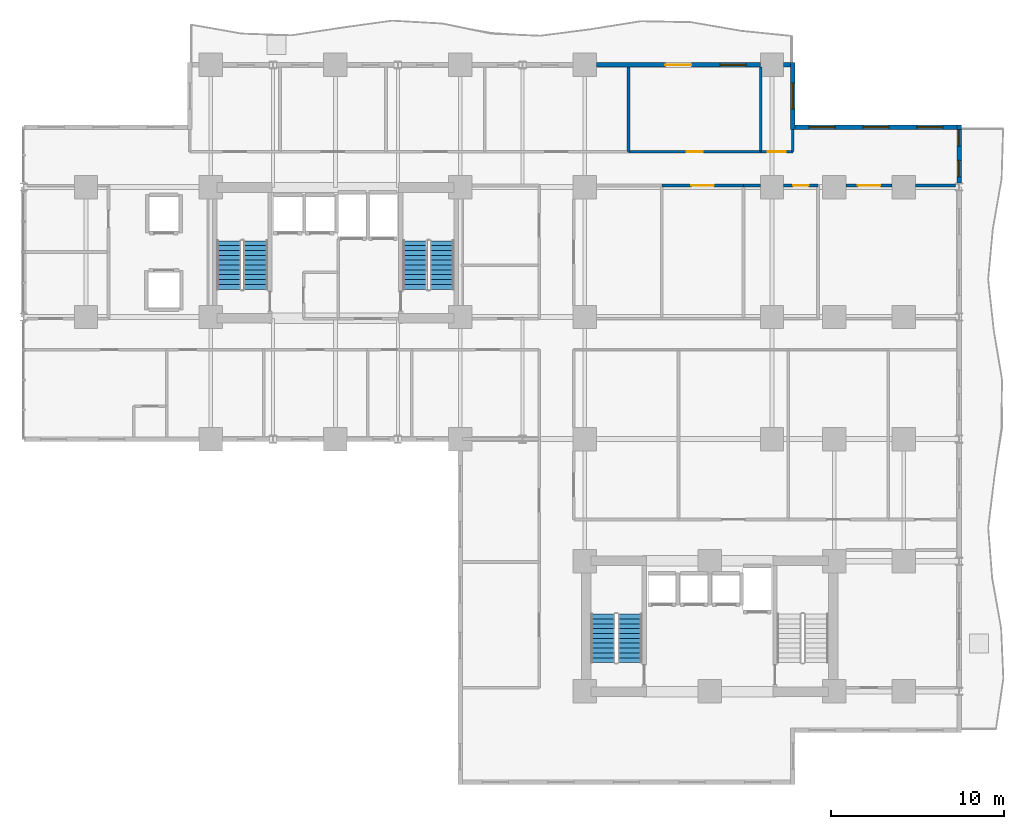
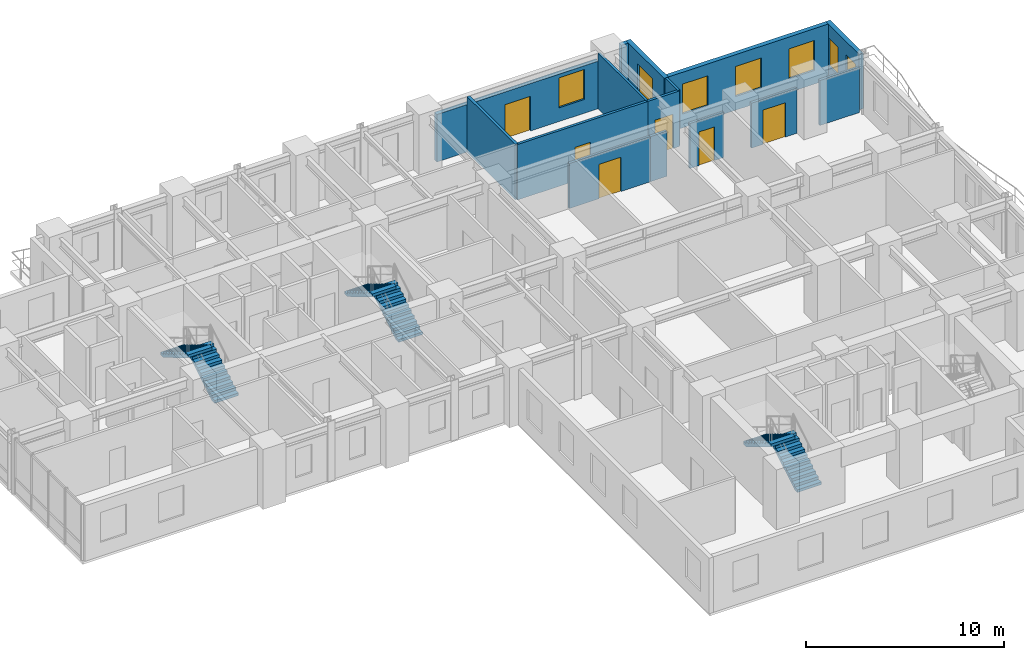
# One storey, part 13 of 17: 15 walls, 7 windows, 6 doors, 6 stair flights, 13 openings, 3 elements without a shape of their own.
"""IFC4 building model written with IfcOpenShell, lengths in metres."""

from ifc_helpers import new_model, si_unit, direction, frame, frame_2d, origin, place, context, subcontext, project, spatial, polyline, rectangle, outline, extrude, material, layer, layer_set, type_object, element, fill, aggregate, save


model = new_model("IFC4")

# Units and contexts
model_context = context("Model", 3, precision=1e-05, world=origin(), true_north=direction((0.0, 1.0)))
body_context = subcontext(model_context, "Body", "Model", "MODEL_VIEW")
ifc_project = project(units=[si_unit("LENGTHUNIT", "METRE"), si_unit("AREAUNIT", "SQUARE_METRE"), si_unit("VOLUMEUNIT", "CUBIC_METRE"), si_unit("PLANEANGLEUNIT", "RADIAN"), si_unit("MASSUNIT", "GRAM", prefix="KILO")], contexts=[model_context])

# Site, building, storey
site_placement = place(None, origin())
site = spatial("IfcSite", under=ifc_project, at=site_placement, CompositionType="ELEMENT")
building_placement = place(site_placement, origin())
building = spatial("IfcBuilding", under=site, at=building_placement, Name="Kaliganga Portal Commons", CompositionType="ELEMENT")
storey_placement = place(building_placement, frame((0.0, 0.0, 62.300048828125)))
storey = spatial("IfcBuildingStorey", under=building, at=storey_placement, Name="L15", CompositionType="ELEMENT", Elevation=62.300048828125)

# Wall, openings, windows
ifc_material_1 = material(Name="Insulated Aluminium-Clad Spandrel Assembly", Category="aluminium")
ifc_layer_1 = layer(ifc_material_1, 0.260009765625)
ifc_layer_set_1 = layer_set([ifc_layer_1], Name="Insulated Aluminium-Clad Spandrel Assembly")
wall_type_1 = type_object("IfcWallType", Name="WL-EXT-SPAND-260", PredefinedType="STANDARD", material=ifc_layer_set_1)
wall_1_placement = place(storey_placement, frame((57.60009765625, 39.72998046875, 0.0), z_axis=(0.0, 0.0, 1.0), x_axis=(0.0, -1.0, 0.0)))
wall_1 = element("IfcWall", 1, at=wall_1_placement, inside=storey, type_object=wall_type_1, Name="Exterior Envelope Wall L15 P1-E03-S6", PredefinedType="STANDARD", context=body_context, shape_type="SweptSolid", body=[
    extrude(rectangle(XDim=3.35595703125, YDim=0.260009765625, at=frame_2d((1.677978515625, 0.0))), origin(), (0.0, 0.0, 1.0), 3.429931640625),
])
opening_1_placement = place(wall_1_placement, frame((2.035400390625, 0.0, 0.85009765625)))
opening_1 = element("IfcOpeningElement", 2, at=opening_1_placement, cuts=wall_1, Name="Opening W-04", PredefinedType="OPENING", context=body_context, shape_type="SweptSolid", body=[
    extrude(rectangle(XDim=0.949951171875, YDim=1.75, at=frame_2d((0.47509765625, 0.875))), frame((0.0, 0.14013671875, 0.0), z_axis=(0.0, -1.0, 0.0), x_axis=(1.0, 0.0, 0.0)), (0.0, 0.0, 1.0), 0.280029296875),
])
opening_2_placement = place(wall_1_placement, frame((0.26318359375, 0.0, 0.85009765625)))
opening_2 = element("IfcOpeningElement", 3, at=opening_2_placement, cuts=wall_1, Name="Opening W-04", PredefinedType="OPENING", context=body_context, shape_type="SweptSolid", body=[
    extrude(rectangle(XDim=0.949951171875, YDim=1.75, at=frame_2d((0.47509765625, 0.875))), frame((0.0, 0.14013671875, 0.0), z_axis=(0.0, -1.0, 0.0), x_axis=(1.0, 0.0, 0.0)), (0.0, 0.0, 1.0), 0.280029296875),
])
ifc_material_2 = material(Name="Thermally Broken Aluminium and Low-E Double Glazing", Category="aluminium")
window_type_1 = type_object("IfcWindowType", Name="WIN-NARROW-950", PartitioningType="SINGLE_PANEL", PredefinedType="WINDOW", material=ifc_material_2)
window_1_placement = place(opening_1_placement, origin())
window_1 = element("IfcWindow", 4, at=window_1_placement, inside=storey, type_object=window_type_1, Name="Facade Window L15-P1E03S6-N2", OverallHeight=1.75, OverallWidth=0.949951171875, PartitioningType="SINGLE_PANEL", PredefinedType="WINDOW", context=body_context, shape_type="SweptSolid", body=[
    extrude(rectangle(XDim=0.949951171875, YDim=1.75, at=frame_2d((0.47509765625, 0.875))), frame((0.0, 0.030029296875, 0.0), z_axis=(0.0, -1.0, 0.0), x_axis=(1.0, 0.0, 0.0)), (0.0, 0.0, 1.0), 0.06005859375),
])
fill(opening_1, window_1)
window_2_placement = place(opening_2_placement, origin())
window_2 = element("IfcWindow", 5, at=window_2_placement, inside=storey, type_object=window_type_1, Name="Facade Window L15-P1E03S6-N9", OverallHeight=1.75, OverallWidth=0.949951171875, PartitioningType="SINGLE_PANEL", PredefinedType="WINDOW", context=body_context, shape_type="SweptSolid", body=[
    extrude(rectangle(XDim=0.949951171875, YDim=1.75, at=frame_2d((0.47509765625, 0.875))), frame((0.0, 0.030029296875, 0.0), z_axis=(0.0, -1.0, 0.0), x_axis=(1.0, 0.0, 0.0)), (0.0, 0.0, 1.0), 0.06005859375),
])
fill(opening_2, window_2)

wall_2_placement = place(storey_placement, frame((48.135009765625, 39.60009765625, 0.0), z_axis=(0.0, 0.0, 1.0), x_axis=(1.0, 0.0, 0.0)))
wall_2 = element("IfcWall", 6, at=wall_2_placement, inside=storey, type_object=wall_type_1, Name="Exterior Envelope Wall L15 P1-E04-S1", PredefinedType="STANDARD", context=body_context, shape_type="SweptSolid", body=[
    extrude(rectangle(XDim=9.330078125, YDim=0.260009765625, at=frame_2d((4.6650390625, 0.0))), origin(), (0.0, 0.0, 1.0), 3.429931640625),
])
opening_3_placement = place(wall_2_placement, frame((0.804931640625, 0.0, 0.85009765625)))
opening_3 = element("IfcOpeningElement", 7, at=opening_3_placement, cuts=wall_2, Name="Opening W-02", PredefinedType="OPENING", context=body_context, shape_type="SweptSolid", body=[
    extrude(rectangle(XDim=1.5, YDim=1.85009765625, at=frame_2d((0.75, 0.925048828125))), frame((0.0, 0.14013671875, 0.0), z_axis=(0.0, -1.0, 0.0), x_axis=(1.0, 0.0, 0.0)), (0.0, 0.0, 1.0), 0.280029296875),
])
opening_4_placement = place(wall_2_placement, frame((3.9150390625, 0.0, 0.85009765625)))
opening_4 = element("IfcOpeningElement", 8, at=opening_4_placement, cuts=wall_2, Name="Opening W-02", PredefinedType="OPENING", context=body_context, shape_type="SweptSolid", body=[
    extrude(rectangle(XDim=1.5, YDim=1.85009765625, at=frame_2d((0.75, 0.925048828125))), frame((0.0, 0.14013671875, 0.0), z_axis=(0.0, -1.0, 0.0), x_axis=(1.0, 0.0, 0.0)), (0.0, 0.0, 1.0), 0.280029296875),
])
opening_5_placement = place(wall_2_placement, frame((7.02490234375, 0.0, 0.85009765625)))
opening_5 = element("IfcOpeningElement", 9, at=opening_5_placement, cuts=wall_2, Name="Opening W-02", PredefinedType="OPENING", context=body_context, shape_type="SweptSolid", body=[
    extrude(rectangle(XDim=1.5, YDim=1.85009765625, at=frame_2d((0.75, 0.925048828125))), frame((0.0, 0.14013671875, 0.0), z_axis=(0.0, -1.0, 0.0), x_axis=(1.0, 0.0, 0.0)), (0.0, 0.0, 1.0), 0.280029296875),
])
window_type_2 = type_object("IfcWindowType", Name="WIN-STD-1500", PartitioningType="DOUBLE_PANEL_VERTICAL", PredefinedType="WINDOW", material=ifc_material_2)
window_3_placement = place(opening_3_placement, origin())
window_3 = element("IfcWindow", 10, at=window_3_placement, inside=storey, type_object=window_type_2, Name="Facade Window L15-P1E04S1-00", OverallHeight=1.85009765625, OverallWidth=1.5, PartitioningType="SINGLE_PANEL", PredefinedType="WINDOW", context=body_context, shape_type="SweptSolid", body=[
    extrude(rectangle(XDim=1.5, YDim=1.85009765625, at=frame_2d((0.75, 0.925048828125))), frame((0.0, 0.030029296875, 0.0), z_axis=(0.0, -1.0, 0.0), x_axis=(1.0, 0.0, 0.0)), (0.0, 0.0, 1.0), 0.06005859375),
])
fill(opening_3, window_3)
window_4_placement = place(opening_4_placement, origin())
window_4 = element("IfcWindow", 11, at=window_4_placement, inside=storey, type_object=window_type_2, Name="Facade Window L15-P1E04S1-01", OverallHeight=1.85009765625, OverallWidth=1.5, PartitioningType="SINGLE_PANEL", PredefinedType="WINDOW", context=body_context, shape_type="SweptSolid", body=[
    extrude(rectangle(XDim=1.5, YDim=1.85009765625, at=frame_2d((0.75, 0.925048828125))), frame((0.0, 0.030029296875, 0.0), z_axis=(0.0, -1.0, 0.0), x_axis=(1.0, 0.0, 0.0)), (0.0, 0.0, 1.0), 0.06005859375),
])
fill(opening_4, window_4)
window_5_placement = place(opening_5_placement, origin())
window_5 = element("IfcWindow", 12, at=window_5_placement, inside=storey, type_object=window_type_2, Name="Facade Window L15-P1E04S1-02", OverallHeight=1.85009765625, OverallWidth=1.5, PartitioningType="SINGLE_PANEL", PredefinedType="WINDOW", context=body_context, shape_type="SweptSolid", body=[
    extrude(rectangle(XDim=1.5, YDim=1.85009765625, at=frame_2d((0.75, 0.925048828125))), frame((0.0, 0.030029296875, 0.0), z_axis=(0.0, -1.0, 0.0), x_axis=(1.0, 0.0, 0.0)), (0.0, 0.0, 1.0), 0.06005859375),
])
fill(opening_5, window_5)

# Wall, opening, window
wall_3_placement = place(storey_placement, frame((48.0, 43.330078125, 0.0), z_axis=(0.0, 0.0, 1.0), x_axis=(0.0, -1.0, 0.0)))
wall_3 = element("IfcWall", 13, at=wall_3_placement, inside=storey, type_object=wall_type_1, Name="Exterior Envelope Wall L15 P1-E05-S1", PredefinedType="STANDARD", context=body_context, shape_type="SweptSolid", body=[
    extrude(rectangle(XDim=3.860107421875, YDim=0.260009765625, at=frame_2d((1.93017578125, 0.0))), origin(), (0.0, 0.0, 1.0), 3.429931640625),
])
opening_6_placement = place(wall_3_placement, frame((1.179931640625, 0.0, 0.85009765625)))
opening_6 = element("IfcOpeningElement", 14, at=opening_6_placement, cuts=wall_3, Name="Opening W-02", PredefinedType="OPENING", context=body_context, shape_type="SweptSolid", body=[
    extrude(rectangle(XDim=1.5, YDim=1.85009765625, at=frame_2d((0.75, 0.925048828125))), frame((0.0, 0.14013671875, 0.0), z_axis=(0.0, -1.0, 0.0), x_axis=(1.0, 0.0, 0.0)), (0.0, 0.0, 1.0), 0.280029296875),
])
window_6_placement = place(opening_6_placement, origin())
window_6 = element("IfcWindow", 15, at=window_6_placement, inside=storey, type_object=window_type_2, Name="Facade Window L15-P1E05S1-00", OverallHeight=1.85009765625, OverallWidth=1.5, PartitioningType="SINGLE_PANEL", PredefinedType="WINDOW", context=body_context, shape_type="SweptSolid", body=[
    extrude(rectangle(XDim=1.5, YDim=1.85009765625, at=frame_2d((0.75, 0.925048828125))), frame((0.0, 0.030029296875, 0.0), z_axis=(0.0, -1.0, 0.0), x_axis=(1.0, 0.0, 0.0)), (0.0, 0.0, 1.0), 0.06005859375),
])
fill(opening_6, window_6)

# Wall
wall_4_placement = place(storey_placement, frame((47.47607421875, 43.199951171875, 0.0), z_axis=(0.0, 0.0, 1.0), x_axis=(1.0, 0.0, 0.0)))
element("IfcWall", 16, at=wall_4_placement, inside=storey, type_object=wall_type_1, Name="Exterior Envelope Wall L15 P1-E06-S1", PredefinedType="STANDARD", context=body_context, shape_type="SweptSolid", body=[
    extrude(rectangle(XDim=0.388916015625, YDim=0.260009765625, at=frame_2d((0.1943359375, 0.0))), origin(), (0.0, 0.0, 1.0), 3.429931640625),
])

# Wall, openings, door, window
wall_5_placement = place(storey_placement, frame((36.676025390625, 43.199951171875, 0.0), z_axis=(0.0, 0.0, 1.0), x_axis=(1.0, 0.0, 0.0)))
wall_5 = element("IfcWall", 17, at=wall_5_placement, inside=storey, type_object=wall_type_1, Name="Exterior Envelope Wall L15 P1-E06-S2", PredefinedType="STANDARD", context=body_context, shape_type="SweptSolid", body=[
    extrude(rectangle(XDim=9.447998046875, YDim=0.260009765625, at=frame_2d((4.72412109375, 0.0))), origin(), (0.0, 0.0, 1.0), 2.929931640625),
])
opening_7_placement = place(wall_5_placement, frame((3.97412109375, 0.0, 0.0)))
opening_7 = element("IfcOpeningElement", 18, at=opening_7_placement, cuts=wall_5, Name="Opening BD-01", PredefinedType="OPENING", context=body_context, shape_type="SweptSolid", body=[
    extrude(rectangle(XDim=1.5, YDim=2.14990234375, at=frame_2d((0.75, 1.074951171875))), frame((0.0, 0.14013671875, 0.0), z_axis=(0.0, -1.0, 0.0), x_axis=(1.0, 0.0, 0.0)), (0.0, 0.0, 1.0), 0.280029296875),
])
opening_8_placement = place(wall_5_placement, frame((7.123291015625, 0.0, 0.85009765625)))
opening_8 = element("IfcOpeningElement", 19, at=opening_8_placement, cuts=wall_5, Name="Opening W-02", PredefinedType="OPENING", context=body_context, shape_type="SweptSolid", body=[
    extrude(rectangle(XDim=1.5, YDim=1.85009765625, at=frame_2d((0.75, 0.925048828125))), frame((0.0, 0.14013671875, 0.0), z_axis=(0.0, -1.0, 0.0), x_axis=(1.0, 0.0, 0.0)), (0.0, 0.0, 1.0), 0.280029296875),
])
ifc_material_3 = material(Name="Anodized Aluminium and Laminated Safety Glass", Category="aluminium")
door_type_1 = type_object("IfcDoorType", Name="DR-BALC-1500", OperationType="SLIDING_TO_LEFT", PredefinedType="DOOR", material=ifc_material_3)
door_1_placement = place(opening_7_placement, origin())
door_1 = element("IfcDoor", 20, at=door_1_placement, inside=storey, type_object=door_type_1, Name="Balcony Sliding Door L15 balc_north", OperationType="SLIDING_TO_LEFT", OverallHeight=2.14990234375, OverallWidth=1.5, PredefinedType="DOOR", context=body_context, shape_type="SweptSolid", body=[
    extrude(rectangle(XDim=1.5, YDim=2.14990234375, at=frame_2d((0.75, 1.074951171875))), frame((0.0, 0.02490234375, 0.0), z_axis=(0.0, -1.0, 0.0), x_axis=(1.0, 0.0, 0.0)), (0.0, 0.0, 1.0), 0.050048828125),
])
fill(opening_7, door_1)
window_7_placement = place(opening_8_placement, origin())
window_7 = element("IfcWindow", 21, at=window_7_placement, inside=storey, type_object=window_type_2, Name="Facade Window L15-P1E06S2-02", OverallHeight=1.85009765625, OverallWidth=1.5, PartitioningType="SINGLE_PANEL", PredefinedType="WINDOW", context=body_context, shape_type="SweptSolid", body=[
    extrude(rectangle(XDim=1.5, YDim=1.85009765625, at=frame_2d((0.75, 0.925048828125))), frame((0.0, 0.030029296875, 0.0), z_axis=(0.0, -1.0, 0.0), x_axis=(1.0, 0.0, 0.0)), (0.0, 0.0, 1.0), 0.06005859375),
])
fill(opening_8, window_7)

# Wall, opening, door
ifc_material_4 = material(Name="Fire-Rated Gypsum Board on Steel Stud", Category="steel")
ifc_layer_2 = layer(ifc_material_4, 0.14990234375)
ifc_layer_set_2 = layer_set([ifc_layer_2], Name="Fire-Rated Gypsum Board on Steel Stud")
wall_type_2 = type_object("IfcWallType", Name="WL-PART-CORR-150", PredefinedType="PARTITIONING", material=ifc_layer_set_2)
wall_6_placement = place(storey_placement, frame((51.074951171875, 36.239990234375, 0.0), z_axis=(0.0, 0.0, 1.0), x_axis=(1.0, 0.0, 0.0)))
wall_6 = element("IfcWall", 22, at=wall_6_placement, inside=storey, type_object=wall_type_2, Name="Interior Partition L15-008", PredefinedType="PARTITIONING", context=body_context, shape_type="SweptSolid", body=[
    extrude(rectangle(XDim=2.650146484375, YDim=0.14990234375, at=frame_2d((1.3251953125, 0.0))), origin(), (0.0, 0.0, 1.0), 2.780029296875),
])
opening_9_placement = place(wall_6_placement, frame((0.675048828125, 0.0, 0.0)))
opening_9 = element("IfcOpeningElement", 23, at=opening_9_placement, cuts=wall_6, Name="Opening RD-03", PredefinedType="OPENING", context=body_context, shape_type="SweptSolid", body=[
    extrude(rectangle(XDim=1.300048828125, YDim=2.1201171875, at=frame_2d((0.64990234375, 1.06005859375))), frame((0.0, 0.0849609375, 0.0), z_axis=(0.0, -1.0, 0.0), x_axis=(1.0, 0.0, 0.0)), (0.0, 0.0, 1.0), 0.169921875),
])
ifc_material_5 = material(Name="Glazed Timber Seminar Vision Door", Category="wood")
door_type_2 = type_object("IfcDoorType", Name="DR-STUDY-1300", OperationType="DOUBLE_DOOR_SINGLE_SWING", PredefinedType="DOOR", material=ifc_material_5)
door_2_placement = place(opening_9_placement, origin())
door_2 = element("IfcDoor", 24, at=door_2_placement, inside=storey, type_object=door_type_2, Name="Interior Door L15-BK04", OperationType="DOUBLE_DOOR_SINGLE_SWING", OverallHeight=2.1201171875, OverallWidth=1.300048828125, PredefinedType="DOOR", context=body_context, shape_type="SweptSolid", body=[
    extrude(rectangle(XDim=1.300048828125, YDim=2.1201171875, at=frame_2d((0.64990234375, 1.06005859375))), frame((0.0, 0.02490234375, 0.0), z_axis=(0.0, -1.0, 0.0), x_axis=(1.0, 0.0, 0.0)), (0.0, 0.0, 1.0), 0.050048828125),
])
fill(opening_9, door_2)

# Wall
wall_7_placement = place(storey_placement, frame((55.074951171875, 36.239990234375, 0.0), z_axis=(0.0, 0.0, 1.0), x_axis=(1.0, 0.0, 0.0)))
element("IfcWall", 25, at=wall_7_placement, inside=storey, type_object=wall_type_2, Name="Interior Partition L15-009", PredefinedType="PARTITIONING", context=body_context, shape_type="SweptSolid", body=[
    extrude(rectangle(XDim=2.317138671875, YDim=0.14990234375, at=frame_2d((1.15869140625, 0.0))), origin(), (0.0, 0.0, 1.0), 2.780029296875),
])

# Wall, opening, door
wall_8_placement = place(storey_placement, frame((38.52001953125, 38.199951171875, 0.0), z_axis=(0.0, 0.0, 1.0), x_axis=(1.0, 0.0, 0.0)))
wall_8 = element("IfcWall", 26, at=wall_8_placement, inside=storey, type_object=wall_type_2, Name="Interior Partition L15-011", PredefinedType="PARTITIONING", context=body_context, shape_type="SweptSolid", body=[
    extrude(rectangle(XDim=7.639892578125, YDim=0.14990234375, at=frame_2d((3.81982421875, 0.0))), origin(), (0.0, 0.0, 1.0), 3.429931640625),
])
opening_10_placement = place(wall_8_placement, frame((3.3701171875, 0.0, 0.0)))
opening_10 = element("IfcOpeningElement", 27, at=opening_10_placement, cuts=wall_8, Name="Opening RD-01", PredefinedType="OPENING", context=body_context, shape_type="SweptSolid", body=[
    extrude(rectangle(XDim=0.89990234375, YDim=2.080078125, at=frame_2d((0.449951171875, 1.0400390625))), frame((0.0, 0.0849609375, 0.0), z_axis=(0.0, -1.0, 0.0), x_axis=(1.0, 0.0, 0.0)), (0.0, 0.0, 1.0), 0.169921875),
])
ifc_material_6 = material(Name="Engineered Timber Flush Door", Category="wood")
door_type_3 = type_object("IfcDoorType", Name="DR-ROOM-900", OperationType="NOTDEFINED", PredefinedType="DOOR", material=ifc_material_6)
door_3_placement = place(opening_10_placement, origin())
door_3 = element("IfcDoor", 28, at=door_3_placement, inside=storey, type_object=door_type_3, Name="Interior Door L15-AN05", OperationType="SINGLE_SWING_RIGHT", OverallHeight=2.080078125, OverallWidth=0.89990234375, PredefinedType="DOOR", context=body_context, shape_type="SweptSolid", body=[
    extrude(rectangle(XDim=0.89990234375, YDim=2.080078125, at=frame_2d((0.449951171875, 1.0400390625))), frame((0.0, 0.02490234375, 0.0), z_axis=(0.0, -1.0, 0.0), x_axis=(1.0, 0.0, 0.0)), (0.0, 0.0, 1.0), 0.050048828125),
])
fill(opening_10, door_3)

wall_9_placement = place(storey_placement, frame((40.43994140625, 36.239990234375, 0.0), z_axis=(0.0, 0.0, 1.0), x_axis=(1.0, 0.0, 0.0)))
wall_9 = element("IfcWall", 29, at=wall_9_placement, inside=storey, type_object=wall_type_2, Name="Interior Partition L15-031", PredefinedType="PARTITIONING", context=body_context, shape_type="SweptSolid", body=[
    extrude(rectangle(XDim=4.719970703125, YDim=0.14990234375, at=frame_2d((2.35986328125, 0.0))), origin(), (0.0, 0.0, 1.0), 2.780029296875),
])
opening_11_placement = place(wall_9_placement, frame((1.7099609375, 0.0, 0.0)))
opening_11 = element("IfcOpeningElement", 30, at=opening_11_placement, cuts=wall_9, Name="Opening RD-03", PredefinedType="OPENING", context=body_context, shape_type="SweptSolid", body=[
    extrude(rectangle(XDim=1.300048828125, YDim=2.1201171875, at=frame_2d((0.64990234375, 1.06005859375))), frame((0.0, 0.0849609375, 0.0), z_axis=(0.0, -1.0, 0.0), x_axis=(1.0, 0.0, 0.0)), (0.0, 0.0, 1.0), 0.169921875),
])
door_4_placement = place(opening_11_placement, origin())
door_4 = element("IfcDoor", 31, at=door_4_placement, inside=storey, type_object=door_type_2, Name="Interior Door L15-BK02", OperationType="DOUBLE_DOOR_SINGLE_SWING", OverallHeight=2.1201171875, OverallWidth=1.300048828125, PredefinedType="DOOR", context=body_context, shape_type="SweptSolid", body=[
    extrude(rectangle(XDim=1.300048828125, YDim=2.1201171875, at=frame_2d((0.64990234375, 1.06005859375))), frame((0.0, 0.02490234375, 0.0), z_axis=(0.0, -1.0, 0.0), x_axis=(1.0, 0.0, 0.0)), (0.0, 0.0, 1.0), 0.050048828125),
])
fill(opening_11, door_4)

# Wall
wall_10_placement = place(storey_placement, frame((45.159912109375, 36.239990234375, 0.0), z_axis=(0.0, 0.0, 1.0), x_axis=(1.0, 0.0, 0.0)))
element("IfcWall", 32, at=wall_10_placement, inside=storey, type_object=wall_type_2, Name="Interior Partition L15-036", PredefinedType="PARTITIONING", context=body_context, shape_type="SweptSolid", body=[
    extrude(rectangle(XDim=0.965087890625, YDim=0.14990234375, at=frame_2d((0.482421875, 0.0))), origin(), (0.0, 0.0, 1.0), 2.780029296875),
])

# Wall, opening, door
wall_11_placement = place(storey_placement, frame((47.47509765625, 36.239990234375, 0.0), z_axis=(0.0, 0.0, 1.0), x_axis=(1.0, 0.0, 0.0)))
wall_11 = element("IfcWall", 33, at=wall_11_placement, inside=storey, type_object=wall_type_2, Name="Interior Partition L15-037", PredefinedType="PARTITIONING", context=body_context, shape_type="SweptSolid", body=[
    extrude(rectangle(XDim=1.98486328125, YDim=0.14990234375, at=frame_2d((0.992431640625, 0.0))), origin(), (0.0, 0.0, 1.0), 2.780029296875),
])
opening_12_placement = place(wall_11_placement, frame((0.54248046875, 0.0, 0.0)))
opening_12 = element("IfcOpeningElement", 34, at=opening_12_placement, cuts=wall_11, Name="Opening RD-01", PredefinedType="OPENING", context=body_context, shape_type="SweptSolid", body=[
    extrude(rectangle(XDim=0.89990234375, YDim=2.080078125, at=frame_2d((0.449951171875, 1.0400390625))), frame((0.0, 0.0849609375, 0.0), z_axis=(0.0, -1.0, 0.0), x_axis=(1.0, 0.0, 0.0)), (0.0, 0.0, 1.0), 0.169921875),
])
door_5_placement = place(opening_12_placement, origin())
door_5 = element("IfcDoor", 35, at=door_5_placement, inside=storey, type_object=door_type_3, Name="Interior Door L15-BK03", OperationType="SINGLE_SWING_LEFT", OverallHeight=2.080078125, OverallWidth=0.89990234375, PredefinedType="DOOR", context=body_context, shape_type="SweptSolid", body=[
    extrude(rectangle(XDim=0.89990234375, YDim=2.080078125, at=frame_2d((0.449951171875, 1.0400390625))), frame((0.0, 0.02490234375, 0.0), z_axis=(0.0, -1.0, 0.0), x_axis=(1.0, 0.0, 0.0)), (0.0, 0.0, 1.0), 0.050048828125),
])
fill(opening_12, door_5)

wall_12_placement = place(storey_placement, frame((46.159912109375, 38.199951171875, 0.0), z_axis=(0.0, 0.0, 1.0), x_axis=(1.0, 0.0, 0.0)))
wall_12 = element("IfcWall", 36, at=wall_12_placement, inside=storey, type_object=wall_type_2, Name="Interior Partition L15-047", PredefinedType="PARTITIONING", context=body_context, shape_type="SweptSolid", body=[
    extrude(rectangle(XDim=1.840087890625, YDim=0.14990234375, at=frame_2d((0.919921875, 0.0))), origin(), (0.0, 0.0, 1.0), 3.429931640625),
])
opening_13_placement = place(wall_12_placement, frame((0.39501953125, 0.0, 0.0)))
opening_13 = element("IfcOpeningElement", 37, at=opening_13_placement, cuts=wall_12, Name="Opening UD-02", PredefinedType="OPENING", context=body_context, shape_type="SweptSolid", body=[
    extrude(rectangle(XDim=1.050048828125, YDim=2.1201171875, at=frame_2d((0.52490234375, 1.06005859375))), frame((0.0, 0.0849609375, 0.0), z_axis=(0.0, -1.0, 0.0), x_axis=(1.0, 0.0, 0.0)), (0.0, 0.0, 1.0), 0.169921875),
])
ifc_material_7 = material(Name="Accessible Wide-Leaf Acoustic Fire Door", Category="wood")
door_type_4 = type_object("IfcDoorType", Name="DR-ACC-1050", OperationType="NOTDEFINED", PredefinedType="DOOR", material=ifc_material_7)
door_6_placement = place(opening_13_placement, origin())
door_6 = element("IfcDoor", 38, at=door_6_placement, inside=storey, type_object=door_type_4, Name="Interior Door L15-AN06", OperationType="SINGLE_SWING_RIGHT", OverallHeight=2.1201171875, OverallWidth=1.050048828125, PredefinedType="DOOR", context=body_context, shape_type="SweptSolid", body=[
    extrude(rectangle(XDim=1.050048828125, YDim=2.1201171875, at=frame_2d((0.52490234375, 1.06005859375))), frame((0.0, 0.02490234375, 0.0), z_axis=(0.0, -1.0, 0.0), x_axis=(1.0, 0.0, 0.0)), (0.0, 0.0, 1.0), 0.050048828125),
])
fill(opening_13, door_6)

# Walls
ifc_material_8 = material(Name="Twin-Stud Acoustic Gypsum Partition", Category="gypsum")
ifc_layer_3 = layer(ifc_material_8, 0.1650390625)
ifc_layer_set_3 = layer_set([ifc_layer_3], Name="Twin-Stud Acoustic Gypsum Partition")
wall_type_3 = type_object("IfcWallType", Name="WL-PART-UNIT-165", PredefinedType="PARTITIONING", material=ifc_layer_set_3)
wall_13_placement = place(storey_placement, frame((38.52001953125, 38.199951171875, 0.0), z_axis=(0.0, 0.0, 1.0), x_axis=(0.0, 1.0, 0.0)))
element("IfcWall", 39, at=wall_13_placement, inside=storey, type_object=wall_type_3, Name="Interior Partition L15-067", PredefinedType="PARTITIONING", context=body_context, shape_type="SweptSolid", body=[
    extrude(rectangle(XDim=4.8681640625, YDim=0.1650390625, at=frame_2d((2.43408203125, 0.0))), origin(), (0.0, 0.0, 1.0), 3.429931640625),
])
ifc_material_9 = material(Name="Cement-Board Wet-Room Partition", Category="gypsum")
ifc_layer_4 = layer(ifc_material_9, 0.135009765625)
ifc_layer_set_4 = layer_set([ifc_layer_4], Name="Cement-Board Wet-Room Partition")
wall_type_4 = type_object("IfcWallType", Name="WL-PART-WET-135", PredefinedType="PARTITIONING", material=ifc_layer_set_4)
wall_14_placement = place(storey_placement, frame((46.159912109375, 38.199951171875, 0.0), z_axis=(0.0, 0.0, 1.0), x_axis=(0.0, 1.0, 0.0)))
element("IfcWall", 40, at=wall_14_placement, inside=storey, type_object=wall_type_4, Name="Interior Partition L15-068", PredefinedType="PARTITIONING", context=body_context, shape_type="SweptSolid", body=[
    extrude(rectangle(XDim=4.8681640625, YDim=0.135009765625, at=frame_2d((2.43408203125, 0.0))), origin(), (0.0, 0.0, 1.0), 3.429931640625),
])
wall_15_placement = place(storey_placement, frame((48.0, 38.199951171875, 0.0), z_axis=(0.0, 0.0, 1.0), x_axis=(0.0, 1.0, 0.0)))
element("IfcWall", 41, at=wall_15_placement, inside=storey, type_object=wall_type_4, Name="Interior Partition L15-069", PredefinedType="PARTITIONING", context=body_context, shape_type="SweptSolid", body=[
    extrude(rectangle(XDim=1.26806640625, YDim=0.135009765625, at=frame_2d((0.634033203125, 0.0))), origin(), (0.0, 0.0, 1.0), 3.429931640625),
])

# Stair, stair flights
ifc_material_10 = material(Name="Concrete C40/50", Category="concrete")
stair_type = type_object("IfcStairType", Name="ST-CORE-DOGLEG", PredefinedType="HALF_TURN_STAIR", material=ifc_material_10)
stair_1_placement = place(storey_placement, origin())
stair_1 = element("IfcStair", 42, at=stair_1_placement, inside=storey, type_object=stair_type, Name="L15 Protected Exit Stair ST-A1", PredefinedType="HALF_TURN_STAIR")
stair_flight_type = type_object("IfcStairFlightType", Name="STF-RC-1400", PredefinedType="STRAIGHT", material=ifc_material_10)
stair_flight_1_placement = place(storey_placement, frame((17.0, 30.25, 0.0), z_axis=(0.0, 0.0, 1.0), x_axis=(0.0, 1.0, 0.0)))
stair_flight_1 = element("IfcStairFlight", 43, at=stair_flight_1_placement, type_object=stair_flight_type, Name="ST-A1 flight 1", NumberOfRisers=11, NumberOfTreads=10, PredefinedType="STRAIGHT", RiserHeight=0.168181818, TreadLength=0.28, context=body_context, shape_type="SweptSolid", body=[
    extrude(outline(polyline([(0.0, 0.0), (0.0, 0.168212890625), (0.280029296875, 0.168212890625), (0.280029296875, 0.33642578125), (0.56005859375, 0.33642578125), (0.56005859375, 0.504638671875), (0.840087890625, 0.504638671875), (0.840087890625, 0.672607421875), (1.1201171875, 0.672607421875), (1.1201171875, 0.8408203125), (1.39990234375, 0.8408203125), (1.39990234375, 1.009033203125), (1.679931640625, 1.009033203125), (1.679931640625, 1.17724609375), (1.9599609375, 1.17724609375), (1.9599609375, 1.345458984375), (2.239990234375, 1.345458984375), (2.239990234375, 1.513671875), (2.52001953125, 1.513671875), (2.52001953125, 1.681884765625), (2.800048828125, 1.681884765625), (2.800048828125, 1.85009765625), (2.800048828125, 1.5068359375), (0.291015625, 0.0), (0.0, 0.0)])), frame((0.0, 0.699951171875, 0.0), z_axis=(0.0, -1.0, 0.0), x_axis=(1.0, 0.0, 0.0)), (0.0, 0.0, 1.0), 1.39990234375),
])
stair_flight_2_placement = place(storey_placement, frame((15.449951171875, 33.050048828125, 1.849853515625), z_axis=(0.0, 0.0, 1.0), x_axis=(0.0, -1.0, 0.0)))
stair_flight_2 = element("IfcStairFlight", 44, at=stair_flight_2_placement, type_object=stair_flight_type, Name="ST-A1 flight 2", NumberOfRisers=11, NumberOfTreads=10, PredefinedType="STRAIGHT", RiserHeight=0.168181818, TreadLength=0.28, context=body_context, shape_type="SweptSolid", body=[
    extrude(outline(polyline([(0.0, 0.0), (0.0, 0.168212890625), (0.280029296875, 0.168212890625), (0.280029296875, 0.33642578125), (0.56005859375, 0.33642578125), (0.56005859375, 0.504638671875), (0.840087890625, 0.504638671875), (0.840087890625, 0.672607421875), (1.1201171875, 0.672607421875), (1.1201171875, 0.8408203125), (1.39990234375, 0.8408203125), (1.39990234375, 1.009033203125), (1.679931640625, 1.009033203125), (1.679931640625, 1.17724609375), (1.9599609375, 1.17724609375), (1.9599609375, 1.345458984375), (2.239990234375, 1.345458984375), (2.239990234375, 1.513671875), (2.52001953125, 1.513671875), (2.52001953125, 1.681884765625), (2.800048828125, 1.681884765625), (2.800048828125, 1.85009765625), (2.800048828125, 1.5068359375), (0.291015625, 0.0), (0.0, 0.0)])), frame((0.0, 0.699951171875, 0.0), z_axis=(0.0, -1.0, 0.0), x_axis=(1.0, 0.0, 0.0)), (0.0, 0.0, 1.0), 1.39990234375),
])
aggregate(stair_1, [stair_flight_1, stair_flight_2])

stair_2_placement = place(storey_placement, origin())
stair_2 = element("IfcStair", 45, at=stair_2_placement, inside=storey, type_object=stair_type, Name="L15 Protected Exit Stair ST-A2", PredefinedType="HALF_TURN_STAIR")
stair_flight_3_placement = place(storey_placement, frame((27.75, 30.25, 0.0), z_axis=(0.0, 0.0, 1.0), x_axis=(0.0, 1.0, 0.0)))
stair_flight_3 = element("IfcStairFlight", 46, at=stair_flight_3_placement, type_object=stair_flight_type, Name="ST-A2 flight 1", NumberOfRisers=11, NumberOfTreads=10, PredefinedType="STRAIGHT", RiserHeight=0.168181818, TreadLength=0.28, context=body_context, shape_type="SweptSolid", body=[
    extrude(outline(polyline([(0.0, 0.0), (0.0, 0.168212890625), (0.280029296875, 0.168212890625), (0.280029296875, 0.33642578125), (0.56005859375, 0.33642578125), (0.56005859375, 0.504638671875), (0.840087890625, 0.504638671875), (0.840087890625, 0.672607421875), (1.1201171875, 0.672607421875), (1.1201171875, 0.8408203125), (1.39990234375, 0.8408203125), (1.39990234375, 1.009033203125), (1.679931640625, 1.009033203125), (1.679931640625, 1.17724609375), (1.9599609375, 1.17724609375), (1.9599609375, 1.345458984375), (2.239990234375, 1.345458984375), (2.239990234375, 1.513671875), (2.52001953125, 1.513671875), (2.52001953125, 1.681884765625), (2.800048828125, 1.681884765625), (2.800048828125, 1.85009765625), (2.800048828125, 1.5068359375), (0.291015625, 0.0), (0.0, 0.0)])), frame((0.0, 0.699951171875, 0.0), z_axis=(0.0, -1.0, 0.0), x_axis=(1.0, 0.0, 0.0)), (0.0, 0.0, 1.0), 1.39990234375),
])
stair_flight_4_placement = place(storey_placement, frame((26.199951171875, 33.050048828125, 1.849853515625), z_axis=(0.0, 0.0, 1.0), x_axis=(0.0, -1.0, 0.0)))
stair_flight_4 = element("IfcStairFlight", 47, at=stair_flight_4_placement, type_object=stair_flight_type, Name="ST-A2 flight 2", NumberOfRisers=11, NumberOfTreads=10, PredefinedType="STRAIGHT", RiserHeight=0.168181818, TreadLength=0.28, context=body_context, shape_type="SweptSolid", body=[
    extrude(outline(polyline([(0.0, 0.0), (0.0, 0.168212890625), (0.280029296875, 0.168212890625), (0.280029296875, 0.33642578125), (0.56005859375, 0.33642578125), (0.56005859375, 0.504638671875), (0.840087890625, 0.504638671875), (0.840087890625, 0.672607421875), (1.1201171875, 0.672607421875), (1.1201171875, 0.8408203125), (1.39990234375, 0.8408203125), (1.39990234375, 1.009033203125), (1.679931640625, 1.009033203125), (1.679931640625, 1.17724609375), (1.9599609375, 1.17724609375), (1.9599609375, 1.345458984375), (2.239990234375, 1.345458984375), (2.239990234375, 1.513671875), (2.52001953125, 1.513671875), (2.52001953125, 1.681884765625), (2.800048828125, 1.681884765625), (2.800048828125, 1.85009765625), (2.800048828125, 1.5068359375), (0.291015625, 0.0), (0.0, 0.0)])), frame((0.0, 0.699951171875, 0.0), z_axis=(0.0, -1.0, 0.0), x_axis=(1.0, 0.0, 0.0)), (0.0, 0.0, 1.0), 1.39990234375),
])
aggregate(stair_2, [stair_flight_3, stair_flight_4])

stair_3_placement = place(storey_placement, origin())
stair_3 = element("IfcStair", 48, at=stair_3_placement, inside=storey, type_object=stair_type, Name="L15 Protected Exit Stair ST-B1", PredefinedType="HALF_TURN_STAIR")
stair_flight_5_placement = place(storey_placement, frame((38.60009765625, 8.699951171875, 0.0), z_axis=(0.0, 0.0, 1.0), x_axis=(0.0, 1.0, 0.0)))
stair_flight_5 = element("IfcStairFlight", 49, at=stair_flight_5_placement, type_object=stair_flight_type, Name="ST-B1 flight 1", NumberOfRisers=11, NumberOfTreads=10, PredefinedType="STRAIGHT", RiserHeight=0.168181818, TreadLength=0.28, context=body_context, shape_type="SweptSolid", body=[
    extrude(outline(polyline([(0.0, 0.0), (0.0, 0.168212890625), (0.280029296875, 0.168212890625), (0.280029296875, 0.33642578125), (0.56005859375, 0.33642578125), (0.56005859375, 0.504638671875), (0.840087890625, 0.504638671875), (0.840087890625, 0.672607421875), (1.1201171875, 0.672607421875), (1.1201171875, 0.8408203125), (1.39990234375, 0.8408203125), (1.39990234375, 1.009033203125), (1.679931640625, 1.009033203125), (1.679931640625, 1.17724609375), (1.9599609375, 1.17724609375), (1.9599609375, 1.345458984375), (2.239990234375, 1.345458984375), (2.239990234375, 1.513671875), (2.52001953125, 1.513671875), (2.52001953125, 1.681884765625), (2.800048828125, 1.681884765625), (2.800048828125, 1.85009765625), (2.800048828125, 1.5068359375), (0.291015625, 0.0), (0.0, 0.0)])), frame((0.0, 0.699951171875, 0.0), z_axis=(0.0, -1.0, 0.0), x_axis=(1.0, 0.0, 0.0)), (0.0, 0.0, 1.0), 1.39990234375),
])
stair_flight_6_placement = place(storey_placement, frame((37.050048828125, 11.5, 1.849853515625), z_axis=(0.0, 0.0, 1.0), x_axis=(0.0, -1.0, 0.0)))
stair_flight_6 = element("IfcStairFlight", 50, at=stair_flight_6_placement, type_object=stair_flight_type, Name="ST-B1 flight 2", NumberOfRisers=11, NumberOfTreads=10, PredefinedType="STRAIGHT", RiserHeight=0.168181818, TreadLength=0.28, context=body_context, shape_type="SweptSolid", body=[
    extrude(outline(polyline([(0.0, 0.0), (0.0, 0.168212890625), (0.280029296875, 0.168212890625), (0.280029296875, 0.33642578125), (0.56005859375, 0.33642578125), (0.56005859375, 0.504638671875), (0.840087890625, 0.504638671875), (0.840087890625, 0.672607421875), (1.1201171875, 0.672607421875), (1.1201171875, 0.8408203125), (1.39990234375, 0.8408203125), (1.39990234375, 1.009033203125), (1.679931640625, 1.009033203125), (1.679931640625, 1.17724609375), (1.9599609375, 1.17724609375), (1.9599609375, 1.345458984375), (2.239990234375, 1.345458984375), (2.239990234375, 1.513671875), (2.52001953125, 1.513671875), (2.52001953125, 1.681884765625), (2.800048828125, 1.681884765625), (2.800048828125, 1.85009765625), (2.800048828125, 1.5068359375), (0.291015625, 0.0), (0.0, 0.0)])), frame((0.0, 0.699951171875, 0.0), z_axis=(0.0, -1.0, 0.0), x_axis=(1.0, 0.0, 0.0)), (0.0, 0.0, 1.0), 1.39990234375),
])
aggregate(stair_3, [stair_flight_5, stair_flight_6])

save(model, "model.ifc")
